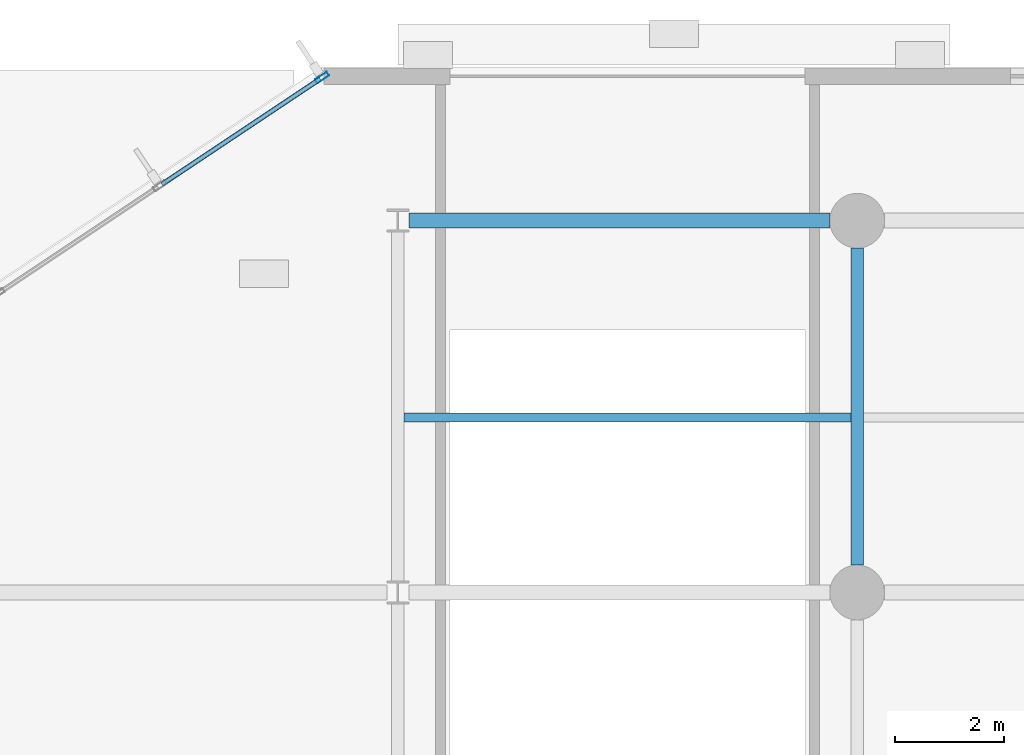
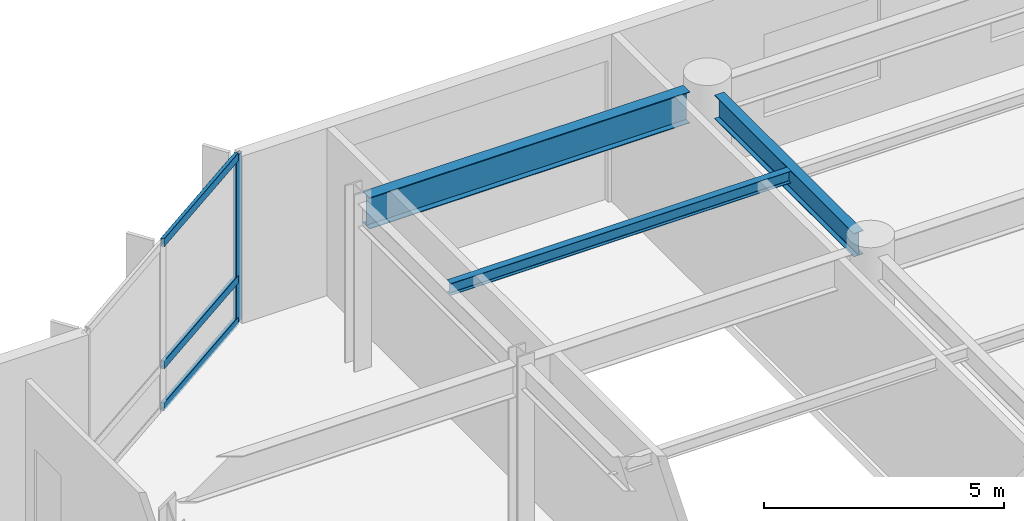
# One storey, part 7 of 26: 4 members, 3 beams, 1 element without a shape of its own.
"""IFC4 building model written with IfcOpenShell, lengths in metres."""

from ifc_helpers import new_model, si_unit, direction, frame, origin, origin_2d, place, context, subcontext, project, spatial, hollow_rectangle, i_section, extrude, material, layer, layer_set, material_profile, profile_set, type_object, element, aggregate, save


model = new_model("IFC4")

# Units and contexts
model_context = context("Model", 3, precision=1e-05, world=origin(), true_north=direction((0.0, 1.0)))
body_context = subcontext(model_context, "Body", "Model", "MODEL_VIEW")
ifc_project = project(units=[si_unit("LENGTHUNIT", "METRE"), si_unit("AREAUNIT", "SQUARE_METRE"), si_unit("VOLUMEUNIT", "CUBIC_METRE"), si_unit("PLANEANGLEUNIT", "RADIAN"), si_unit("MASSUNIT", "GRAM", prefix="KILO")], contexts=[model_context])

# Site, building, storey
site_placement = place(None, origin())
site = spatial("IfcSite", under=ifc_project, at=site_placement, CompositionType="ELEMENT")
building_placement = place(site_placement, origin())
building = spatial("IfcBuilding", under=site, at=building_placement, Name="Varnakote Quay Hospital", CompositionType="ELEMENT")
storey_placement = place(building_placement, origin())
storey = spatial("IfcBuildingStorey", under=building, at=storey_placement, Name="L00", CompositionType="ELEMENT", Elevation=0.0)

# Beams
ifc_material_1 = material(Name="Structural steel AS/NZS 3679.1 Grade 350 L0 (fy 340 MPa)", Category="steel")
ifc_material_profile_1 = material_profile(ifc_material_1, i_section(OverallWidth=0.22802734375, OverallDepth=0.60205078125, WebThickness=0.010498046875, FlangeThickness=0.014892578125, FilletRadius=0.013916015625, at=origin_2d()), Name="610UB101")
ifc_profile_set_1 = profile_set([ifc_material_profile_1], Name="Structural steel AS/NZS 3679.1 Grade 350 L0 (fy 340 MPa)")
beam_type_1 = type_object("IfcBeamType", Name="BM-STL-610UB101", PredefinedType="BEAM", material=ifc_profile_set_1)
beam_1_placement = place(storey_placement, frame((58.800048828125, 37.699951171875, 3.948974609375), z_axis=(0.0, 1.0, 0.0), x_axis=(-1.0, 0.0, 0.0)))
element("IfcBeam", 1, at=beam_1_placement, inside=storey, type_object=beam_type_1, Name="L00 Primary Tie Beam", PredefinedType="BEAM", context=body_context, shape_type="SweptSolid", body=[
    extrude(i_section(OverallWidth=0.22802734375, OverallDepth=0.60205078125, WebThickness=0.010498046875, FlangeThickness=0.014892578125, FilletRadius=0.013916015625, at=origin_2d()), origin(), (0.0, 0.0, 1.0), 5.800048828125),
])
ifc_material_2 = material(Name="Structural steel AS/NZS 3678 Grade 350 (fy 340 MPa)", Category="steel")
ifc_material_profile_2 = material_profile(ifc_material_2, i_section(OverallWidth=0.27490234375, OverallDepth=0.800048828125, WebThickness=0.010009765625, FlangeThickness=0.02001953125, at=origin_2d()), Name="800WB146")
ifc_profile_set_2 = profile_set([ifc_material_profile_2], Name="Structural steel AS/NZS 3678 Grade 350 (fy 340 MPa)")
beam_type_2 = type_object("IfcBeamType", Name="BM-STL-800WB146", PredefinedType="BEAM", material=ifc_profile_set_2)
beam_2_placement = place(storey_placement, frame((50.60009765625, 44.0, 3.85009765625), z_axis=(1.0, 0.0, 0.0), x_axis=(0.0, 1.0, 0.0)))
element("IfcBeam", 2, at=beam_2_placement, inside=storey, type_object=beam_type_2, Name="L00 Primary Floor Beam", PredefinedType="BEAM", context=body_context, shape_type="SweptSolid", body=[
    extrude(i_section(OverallWidth=0.27490234375, OverallDepth=0.800048828125, WebThickness=0.010009765625, FlangeThickness=0.02001953125, at=origin_2d()), origin(), (0.0, 0.0, 1.0), 7.699951171875),
])

# Curtain wall, members
ifc_material_3 = material(Name="Anodised aluminium 6063-T6 Bronze", Category="aluminium")
ifc_layer = layer(ifc_material_3, 0.175048828125)
ifc_layer_set = layer_set([ifc_layer], Name="Anodised aluminium 6063-T6 Bronze")
curtain_wall_type = type_object("IfcCurtainWallType", Name="CW-SYS-1", PredefinedType="NOTDEFINED", material=ifc_layer_set)
curtain_wall_placement = place(storey_placement, origin())
curtain_wall = element("IfcCurtainWall", 3, at=curtain_wall_placement, inside=storey, type_object=curtain_wall_type, Name="L00 Unitised Bronze Curtain Wall 2", PredefinedType="NOTDEFINED")
ifc_material_4 = material(Name="Anodised aluminium 6063-T6 Bronze", Category="aluminium")
ifc_material_profile_3 = material_profile(ifc_material_4, hollow_rectangle(XDim=0.0849609375, YDim=0.260009765625, WallThickness=0.0048828125, InnerFilletRadius=0.0048828125, OuterFilletRadius=0.010009765625, at=origin_2d()), Name="CW-MULL-260x85")
ifc_profile_set_3 = profile_set([ifc_material_profile_3], Name="Anodised aluminium 6063-T6 Bronze")
member_type_1 = type_object("IfcMemberType", Name="CW-MULL-260x85", PredefinedType="MULLION", material=ifc_profile_set_3)
member_1_placement = place(storey_placement, frame((49.012939453125, 46.616455078125, 0.0), z_axis=(0.0, 0.0, 1.0), x_axis=(0.554700196226, -0.832050294338, 0.0)))
member_1 = element("IfcMember", 4, at=member_1_placement, type_object=member_type_1, Name="-1-L00-2 mullion 1", PredefinedType="MULLION", context=body_context, shape_type="SweptSolid", body=[
    extrude(hollow_rectangle(XDim=0.0849609375, YDim=0.260009765625, WallThickness=0.0048828125, InnerFilletRadius=0.0048828125, OuterFilletRadius=0.010009765625, at=origin_2d()), origin(), (0.0, 0.0, 1.0), 4.25),
])
ifc_material_5 = material(Name="Anodised aluminium 6063-T6 Bronze", Category="aluminium")
ifc_material_profile_4 = material_profile(ifc_material_5, hollow_rectangle(XDim=0.0849609375, YDim=0.2099609375, WallThickness=0.00439453125, InnerFilletRadius=0.00439453125, OuterFilletRadius=0.009033203125, at=origin_2d()), Name="CW-TRAN-210x85")
ifc_profile_set_4 = profile_set([ifc_material_profile_4], Name="Anodised aluminium 6063-T6 Bronze")
member_type_2 = type_object("IfcMemberType", Name="CW-TRAN-210x85", PredefinedType="USERDEFINED", material=ifc_profile_set_4)
member_2_placement = place(storey_placement, frame((48.977783203125, 46.5927734375, 0.04248046875), z_axis=(-0.832071891659, -0.554667798877, 0.0), x_axis=(0.554667798877, -0.832071891659, 0.0)))
member_2 = element("IfcMember", 5, at=member_2_placement, type_object=member_type_2, Name="-1-L00-2 transom 1.1", ObjectType="TRANSOM", PredefinedType="USERDEFINED", context=body_context, shape_type="SweptSolid", body=[
    extrude(hollow_rectangle(XDim=0.0849609375, YDim=0.2099609375, WallThickness=0.00439453125, InnerFilletRadius=0.00439453125, OuterFilletRadius=0.009033203125, at=origin_2d()), origin(), (0.0, 0.0, 1.0), 3.47802734375),
])
member_3_placement = place(storey_placement, frame((48.977783203125, 46.5927734375, 1.10009765625), z_axis=(-0.832071891659, -0.554667798877, 0.0), x_axis=(0.554667798877, -0.832071891659, 0.0)))
member_3 = element("IfcMember", 6, at=member_3_placement, type_object=member_type_2, Name="-1-L00-2 transom 1.2", ObjectType="TRANSOM", PredefinedType="USERDEFINED", context=body_context, shape_type="SweptSolid", body=[
    extrude(hollow_rectangle(XDim=0.0849609375, YDim=0.2099609375, WallThickness=0.00439453125, InnerFilletRadius=0.00439453125, OuterFilletRadius=0.009033203125, at=origin_2d()), origin(), (0.0, 0.0, 1.0), 3.47802734375),
])
member_4_placement = place(storey_placement, frame((48.977783203125, 46.5927734375, 4.20751953125), z_axis=(-0.832071891659, -0.554667798877, 0.0), x_axis=(0.554667798877, -0.832071891659, 0.0)))
member_4 = element("IfcMember", 7, at=member_4_placement, type_object=member_type_2, Name="-1-L00-2 transom 1.3", ObjectType="TRANSOM", PredefinedType="USERDEFINED", context=body_context, shape_type="SweptSolid", body=[
    extrude(hollow_rectangle(XDim=0.0849609375, YDim=0.2099609375, WallThickness=0.00439453125, InnerFilletRadius=0.00439453125, OuterFilletRadius=0.009033203125, at=origin_2d()), origin(), (0.0, 0.0, 1.0), 3.47802734375),
])
aggregate(curtain_wall, [member_1, member_2, member_3, member_4])

# Beam
ifc_material_6 = material(Name="Structural steel AS/NZS 3679.1 Grade 350 L0 (fy 340 MPa)", Category="steel")
ifc_material_profile_5 = material_profile(ifc_material_6, i_section(OverallWidth=0.1650390625, OverallDepth=0.303955078125, WebThickness=0.006103515625, FlangeThickness=0.01025390625, FilletRadius=0.011474609375, at=origin_2d()), Name="310UB40.4")
ifc_profile_set_5 = profile_set([ifc_material_profile_5], Name="Structural steel AS/NZS 3679.1 Grade 350 L0 (fy 340 MPa)")
beam_type_3 = type_object("IfcBeamType", Name="JST-STL-310UB40-4", PredefinedType="JOIST", material=ifc_profile_set_5)
beam_3_placement = place(storey_placement, frame((50.513916015625, 40.39990234375, 4.097900390625), z_axis=(1.0, 0.0, 0.0), x_axis=(0.0, 1.0, 0.0)))
element("IfcBeam", 8, at=beam_3_placement, inside=storey, type_object=beam_type_3, Name="L00 Composite Floor Joist", PredefinedType="JOIST", context=body_context, shape_type="SweptSolid", body=[
    extrude(i_section(OverallWidth=0.1650390625, OverallDepth=0.303955078125, WebThickness=0.006103515625, FlangeThickness=0.01025390625, FilletRadius=0.011474609375, at=origin_2d()), origin(), (0.0, 0.0, 1.0), 8.172119140625),
])

save(model, "model.ifc")
